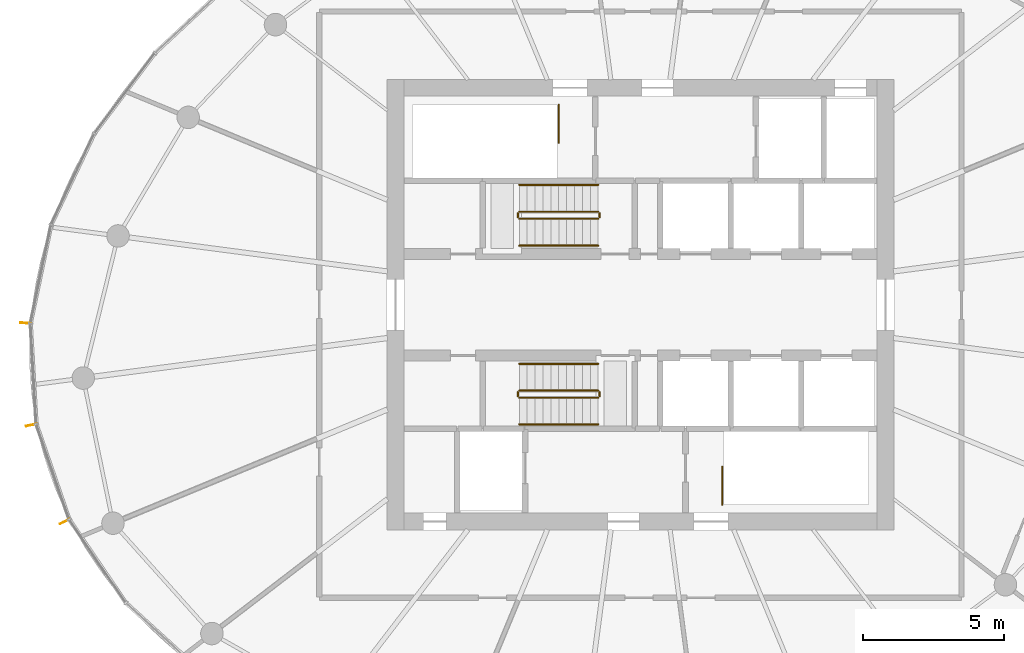
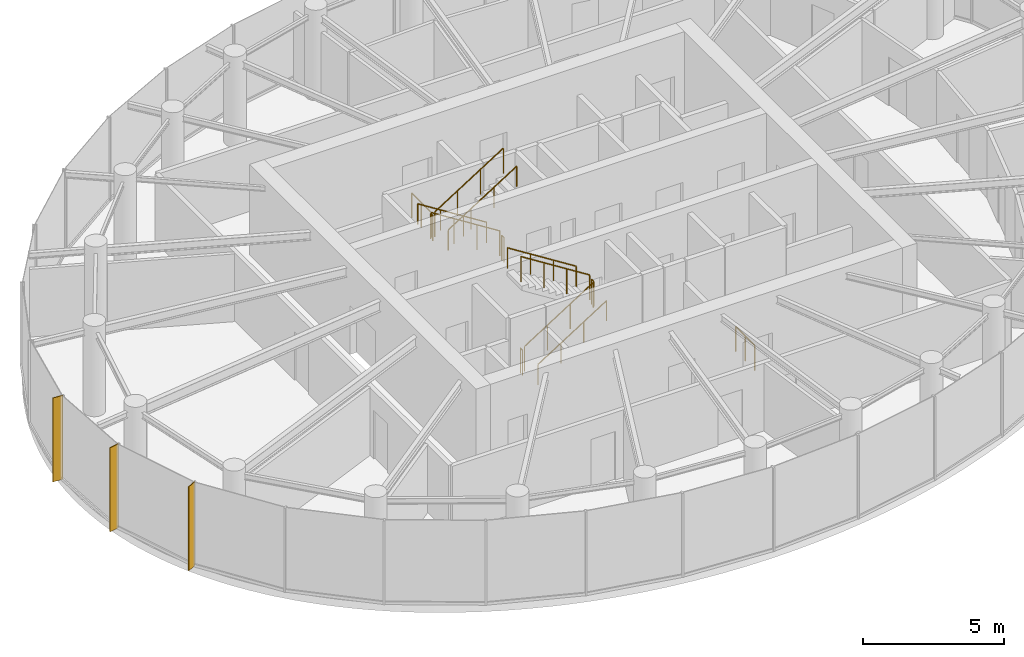
# One storey, part 12 of 13: 14 railings, 3 shading devices.
"""IFC4 building model written with IfcOpenShell, lengths in metres."""

from ifc_helpers import new_model, si_unit, direction, frame, origin, origin_2d, place, context, subcontext, project, spatial, rectangle, circle, extrude, source, transform, mapped, material, material_profile, profile_set, type_object, element, save


model = new_model("IFC4")

# Units and contexts
model_context = context("Model", 3, precision=1e-05, world=origin(), true_north=direction((0.0, 1.0)))
body_context = subcontext(model_context, "Body", "Model", "MODEL_VIEW")
ifc_project = project(units=[si_unit("LENGTHUNIT", "METRE"), si_unit("AREAUNIT", "SQUARE_METRE"), si_unit("VOLUMEUNIT", "CUBIC_METRE"), si_unit("PLANEANGLEUNIT", "RADIAN"), si_unit("MASSUNIT", "GRAM", prefix="KILO")], contexts=[model_context])

# Site, building, storey
site_placement = place(None, origin())
site = spatial("IfcSite", under=ifc_project, at=site_placement, CompositionType="ELEMENT")
building_placement = place(site_placement, origin())
building = spatial("IfcBuilding", under=site, at=building_placement, Name="Spindrift Exchange Tower", CompositionType="ELEMENT")
storey_placement = place(building_placement, frame((0.0, 0.0, 265.699951171875)))
storey = spatial("IfcBuildingStorey", under=building, at=storey_placement, Name="L65", CompositionType="ELEMENT", Elevation=265.699951171875)

# Railings
ifc_material_1 = material(Name="Steel balustrade", Category="steel")
railing_type_1 = type_object("IfcRailingType", Name="RL-STAIR-GUARD", PredefinedType="GUARDRAIL", material=ifc_material_1)
railing_1_placement = place(storey_placement, frame((49.10009765625, 55.10009765625, 0.0)))
element("IfcRailing", 1, at=railing_1_placement, inside=storey, type_object=railing_type_1, Name="L65 ST1 top well guard 1", PredefinedType="GUARDRAIL", context=body_context, shape_type="SweptSolid", body=[
    extrude(circle(Radius=0.02392578125, at=origin_2d()), frame((0.0, 0.0, 1.076171875), z_axis=(0.0, -1.0, 0.0), x_axis=(1.0, 0.0, 0.0)), (0.0, 0.0, 1.0), 1.35009765625),
    extrude(circle(Radius=0.02099609375, at=origin_2d()), origin(), (0.0, 0.0, 1.0), 1.052001953125),
    extrude(circle(Radius=0.02099609375, at=origin_2d()), frame((0.0, -0.675048828125, 0.0)), (0.0, 0.0, 1.0), 1.052001953125),
    extrude(circle(Radius=0.02099609375, at=origin_2d()), frame((0.0, -1.35009765625, 0.0)), (0.0, 0.0, 1.0), 1.052001953125),
])
railing_2_placement = place(storey_placement, frame((54.89990234375, 40.89990234375, 0.0)))
element("IfcRailing", 2, at=railing_2_placement, inside=storey, type_object=railing_type_1, Name="L65 ST2 top well guard 1", PredefinedType="GUARDRAIL", context=body_context, shape_type="SweptSolid", body=[
    extrude(circle(Radius=0.02392578125, at=origin_2d()), frame((0.0, 0.0, 1.076171875), z_axis=(0.0, 1.0, 0.0), x_axis=(-1.0, 0.0, 0.0)), (0.0, 0.0, 1.0), 1.35009765625),
    extrude(circle(Radius=0.02099609375, at=origin_2d()), origin(), (0.0, 0.0, 1.0), 1.052001953125),
    extrude(circle(Radius=0.02099609375, at=origin_2d()), frame((0.0, 0.675048828125, 0.0)), (0.0, 0.0, 1.0), 1.052001953125),
    extrude(circle(Radius=0.02099609375, at=origin_2d()), frame((0.0, 1.35009765625, 0.0)), (0.0, 0.0, 1.0), 1.052001953125),
])
railing_3_placement = place(storey_placement, frame((50.5, 51.300048828125, 0.17724609375)))
element("IfcRailing", 3, at=railing_3_placement, inside=storey, type_object=railing_type_1, Name="L65 ST3 stair guard 1", PredefinedType="GUARDRAIL", context=body_context, shape_type="SweptSolid", body=[
    extrude(circle(Radius=0.02392578125, at=origin_2d()), frame((0.0, 0.0, 1.076171875), z_axis=(-0.844908973607, 0.0, 0.534910110503), x_axis=(0.0, -1.0, 0.0)), (0.0, 0.0, 1.0), 3.31396484375),
    extrude(circle(Radius=0.02099609375, at=origin_2d()), origin(), (0.0, 0.0, 1.0), 1.052001953125),
    extrude(circle(Radius=0.02099609375, at=origin_2d()), frame((-0.933349609375, 0.0, 0.5908203125)), (0.0, 0.0, 1.0), 1.052001953125),
    extrude(circle(Radius=0.02099609375, at=origin_2d()), frame((-1.86669921875, 0.0, 1.181884765625)), (0.0, 0.0, 1.0), 1.052001953125),
    extrude(circle(Radius=0.02099609375, at=origin_2d()), frame((-2.800048828125, 0.0, 1.772705078125)), (0.0, 0.0, 1.0), 1.052001953125),
])
railing_4_placement = place(storey_placement, frame((47.64990234375, 51.25, 1.949951171875)))
element("IfcRailing", 4, at=railing_4_placement, inside=storey, type_object=railing_type_1, Name="L65 ST3 stair guard 2", PredefinedType="GUARDRAIL", context=body_context, shape_type="SweptSolid", body=[
    extrude(circle(Radius=0.02392578125, at=origin_2d()), frame((0.0, 0.0, 1.076171875), z_axis=(0.0, -1.0, 0.0), x_axis=(1.0, 0.0, 0.0)), (0.0, 0.0, 1.0), 0.14990234375),
    extrude(circle(Radius=0.02099609375, at=origin_2d()), origin(), (0.0, 0.0, 1.0), 1.052001953125),
    extrude(circle(Radius=0.02099609375, at=origin_2d()), frame((0.0, -0.14990234375, 0.0)), (0.0, 0.0, 1.0), 1.052001953125),
])
railing_5_placement = place(storey_placement, frame((47.699951171875, 51.050048828125, 2.12744140625)))
element("IfcRailing", 5, at=railing_5_placement, inside=storey, type_object=railing_type_1, Name="L65 ST3 stair guard 3", PredefinedType="GUARDRAIL", context=body_context, shape_type="SweptSolid", body=[
    extrude(circle(Radius=0.02392578125, at=origin_2d()), frame((0.0, 0.0, 1.076171875), z_axis=(0.844908973607, 0.0, 0.534910110503), x_axis=(0.0, 1.0, 0.0)), (0.0, 0.0, 1.0), 3.31396484375),
    extrude(circle(Radius=0.02099609375, at=origin_2d()), origin(), (0.0, 0.0, 1.0), 1.052001953125),
    extrude(circle(Radius=0.02099609375, at=origin_2d()), frame((0.933349609375, 0.0, 0.5908203125)), (0.0, 0.0, 1.0), 1.052001953125),
    extrude(circle(Radius=0.02099609375, at=origin_2d()), frame((1.86669921875, 0.0, 1.181884765625)), (0.0, 0.0, 1.0), 1.052001953125),
    extrude(circle(Radius=0.02099609375, at=origin_2d()), frame((2.800048828125, 0.0, 1.772705078125)), (0.0, 0.0, 1.0), 1.052001953125),
])
railing_6_placement = place(storey_placement, frame((50.550048828125, 51.25, 0.0)))
element("IfcRailing", 6, at=railing_6_placement, inside=storey, type_object=railing_type_1, Name="L65 ST3 stair guard 4", PredefinedType="GUARDRAIL", context=body_context, shape_type="SweptSolid", body=[
    extrude(circle(Radius=0.02392578125, at=origin_2d()), frame((0.0, 0.0, 1.076171875), z_axis=(0.0, -1.0, 0.0), x_axis=(1.0, 0.0, 0.0)), (0.0, 0.0, 1.0), 0.14990234375),
    extrude(circle(Radius=0.02099609375, at=origin_2d()), origin(), (0.0, 0.0, 1.0), 1.052001953125),
    extrude(circle(Radius=0.02099609375, at=origin_2d()), frame((0.0, -0.14990234375, 0.0)), (0.0, 0.0, 1.0), 1.052001953125),
])
railing_7_placement = place(storey_placement, frame((47.699951171875, 44.699951171875, 0.17724609375)))
element("IfcRailing", 7, at=railing_7_placement, inside=storey, type_object=railing_type_1, Name="L65 ST4 stair guard 1", PredefinedType="GUARDRAIL", context=body_context, shape_type="SweptSolid", body=[
    extrude(circle(Radius=0.02392578125, at=origin_2d()), frame((0.0, 0.0, 1.076171875), z_axis=(0.844908973607, 0.0, 0.534910110503), x_axis=(0.0, 1.0, 0.0)), (0.0, 0.0, 1.0), 3.31396484375),
    extrude(circle(Radius=0.02099609375, at=origin_2d()), origin(), (0.0, 0.0, 1.0), 1.052001953125),
    extrude(circle(Radius=0.02099609375, at=origin_2d()), frame((0.933349609375, 0.0, 0.5908203125)), (0.0, 0.0, 1.0), 1.052001953125),
    extrude(circle(Radius=0.02099609375, at=origin_2d()), frame((1.86669921875, 0.0, 1.181884765625)), (0.0, 0.0, 1.0), 1.052001953125),
    extrude(circle(Radius=0.02099609375, at=origin_2d()), frame((2.800048828125, 0.0, 1.772705078125)), (0.0, 0.0, 1.0), 1.052001953125),
])
railing_8_placement = place(storey_placement, frame((50.550048828125, 44.75, 1.949951171875)))
element("IfcRailing", 8, at=railing_8_placement, inside=storey, type_object=railing_type_1, Name="L65 ST4 stair guard 2", PredefinedType="GUARDRAIL", context=body_context, shape_type="SweptSolid", body=[
    extrude(circle(Radius=0.02392578125, at=origin_2d()), frame((0.0, 0.0, 1.076171875), z_axis=(0.0, 1.0, 0.0), x_axis=(-1.0, 0.0, 0.0)), (0.0, 0.0, 1.0), 0.14990234375),
    extrude(circle(Radius=0.02099609375, at=origin_2d()), origin(), (0.0, 0.0, 1.0), 1.052001953125),
    extrude(circle(Radius=0.02099609375, at=origin_2d()), frame((0.0, 0.14990234375, 0.0)), (0.0, 0.0, 1.0), 1.052001953125),
])
railing_9_placement = place(storey_placement, frame((50.5, 44.949951171875, 2.12744140625)))
element("IfcRailing", 9, at=railing_9_placement, inside=storey, type_object=railing_type_1, Name="L65 ST4 stair guard 3", PredefinedType="GUARDRAIL", context=body_context, shape_type="SweptSolid", body=[
    extrude(circle(Radius=0.02392578125, at=origin_2d()), frame((0.0, 0.0, 1.076171875), z_axis=(-0.844908973607, 0.0, 0.534910110503), x_axis=(0.0, -1.0, 0.0)), (0.0, 0.0, 1.0), 3.31396484375),
    extrude(circle(Radius=0.02099609375, at=origin_2d()), origin(), (0.0, 0.0, 1.0), 1.052001953125),
    extrude(circle(Radius=0.02099609375, at=origin_2d()), frame((-0.933349609375, 0.0, 0.5908203125)), (0.0, 0.0, 1.0), 1.052001953125),
    extrude(circle(Radius=0.02099609375, at=origin_2d()), frame((-1.86669921875, 0.0, 1.181884765625)), (0.0, 0.0, 1.0), 1.052001953125),
    extrude(circle(Radius=0.02099609375, at=origin_2d()), frame((-2.800048828125, 0.0, 1.772705078125)), (0.0, 0.0, 1.0), 1.052001953125),
])
railing_10_placement = place(storey_placement, frame((47.64990234375, 44.75, 0.0)))
element("IfcRailing", 10, at=railing_10_placement, inside=storey, type_object=railing_type_1, Name="L65 ST4 stair guard 4", PredefinedType="GUARDRAIL", context=body_context, shape_type="SweptSolid", body=[
    extrude(circle(Radius=0.02392578125, at=origin_2d()), frame((0.0, 0.0, 1.076171875), z_axis=(0.0, 1.0, 0.0), x_axis=(-1.0, 0.0, 0.0)), (0.0, 0.0, 1.0), 0.14990234375),
    extrude(circle(Radius=0.02099609375, at=origin_2d()), origin(), (0.0, 0.0, 1.0), 1.052001953125),
    extrude(circle(Radius=0.02099609375, at=origin_2d()), frame((0.0, 0.14990234375, 0.0)), (0.0, 0.0, 1.0), 1.052001953125),
])
ifc_material_2 = material(Name="Steel tubular handrail", Category="steel")
railing_type_2 = type_object("IfcRailingType", Name="RL-STAIR-HAND", PredefinedType="HANDRAIL", material=ifc_material_2)
railing_11_placement = place(storey_placement, frame((50.5, 52.25, 0.17724609375)))
element("IfcRailing", 11, at=railing_11_placement, inside=storey, type_object=railing_type_2, Name="L65 ST3 stair handrail 1", PredefinedType="HANDRAIL", context=body_context, shape_type="SweptSolid", body=[
    extrude(circle(Radius=0.02392578125, at=origin_2d()), frame((0.0, 0.0, 0.8759765625), z_axis=(-0.844908973607, 0.0, 0.534910110503), x_axis=(0.0, -1.0, 0.0)), (0.0, 0.0, 1.0), 3.31396484375),
    extrude(circle(Radius=0.02099609375, at=origin_2d()), origin(), (0.0, 0.0, 1.0), 0.851806640625),
    extrude(circle(Radius=0.02099609375, at=origin_2d()), frame((-0.933349609375, 0.0, 0.5908203125)), (0.0, 0.0, 1.0), 0.851806640625),
    extrude(circle(Radius=0.02099609375, at=origin_2d()), frame((-1.86669921875, 0.0, 1.181884765625)), (0.0, 0.0, 1.0), 0.851806640625),
    extrude(circle(Radius=0.02099609375, at=origin_2d()), frame((-2.800048828125, 0.0, 1.772705078125)), (0.0, 0.0, 1.0), 0.851806640625),
])
for number, where, name in (
    (12, (47.699951171875, 50.10009765625, 2.12744140625), "L65 ST3 stair handrail 2"),
    (13, (47.699951171875, 43.75, 0.17724609375), "L65 ST4 stair handrail 1"),
):
    element("IfcRailing", number, at=place(storey_placement, frame(where)), inside=storey, type_object=railing_type_2, Name=name, PredefinedType="HANDRAIL", context=body_context, shape_type="SweptSolid", body=[
        extrude(circle(Radius=0.02392578125, at=origin_2d()), frame((0.0, 0.0, 0.8759765625), z_axis=(0.844908973607, 0.0, 0.534910110503), x_axis=(0.0, 1.0, 0.0)), (0.0, 0.0, 1.0), 3.31396484375),
        extrude(circle(Radius=0.02099609375, at=origin_2d()), origin(), (0.0, 0.0, 1.0), 0.851806640625),
        extrude(circle(Radius=0.02099609375, at=origin_2d()), frame((0.933349609375, 0.0, 0.5908203125)), (0.0, 0.0, 1.0), 0.851806640625),
        extrude(circle(Radius=0.02099609375, at=origin_2d()), frame((1.86669921875, 0.0, 1.181884765625)), (0.0, 0.0, 1.0), 0.851806640625),
        extrude(circle(Radius=0.02099609375, at=origin_2d()), frame((2.800048828125, 0.0, 1.772705078125)), (0.0, 0.0, 1.0), 0.851806640625),
    ])
railing_12_placement = place(storey_placement, frame((50.5, 45.89990234375, 2.12744140625)))
element("IfcRailing", 14, at=railing_12_placement, inside=storey, type_object=railing_type_2, Name="L65 ST4 stair handrail 2", PredefinedType="HANDRAIL", context=body_context, shape_type="SweptSolid", body=[
    extrude(circle(Radius=0.02392578125, at=origin_2d()), frame((0.0, 0.0, 0.8759765625), z_axis=(-0.844908973607, 0.0, 0.534910110503), x_axis=(0.0, -1.0, 0.0)), (0.0, 0.0, 1.0), 3.31396484375),
    extrude(circle(Radius=0.02099609375, at=origin_2d()), origin(), (0.0, 0.0, 1.0), 0.851806640625),
    extrude(circle(Radius=0.02099609375, at=origin_2d()), frame((-0.933349609375, 0.0, 0.5908203125)), (0.0, 0.0, 1.0), 0.851806640625),
    extrude(circle(Radius=0.02099609375, at=origin_2d()), frame((-1.86669921875, 0.0, 1.181884765625)), (0.0, 0.0, 1.0), 0.851806640625),
    extrude(circle(Radius=0.02099609375, at=origin_2d()), frame((-2.800048828125, 0.0, 1.772705078125)), (0.0, 0.0, 1.0), 0.851806640625),
])

# Shading devices
ifc_material_3 = material(Name="Bronze anodised aluminium", Category="aluminium")
ifc_material_profile = material_profile(ifc_material_3, rectangle(XDim=0.030029296875, YDim=0.39990234375, at=origin_2d()), Name="WIND FIN 30X400")
ifc_profile_set = profile_set([ifc_material_profile], Name="Bronze anodised aluminium")
shading_device_type = type_object("IfcShadingDeviceType", Name="WIND FIN 30X400", PredefinedType="USERDEFINED", material=ifc_profile_set)
shared_shape = source(origin(), body_context, "Body", "SweptSolid", [
    extrude(rectangle(XDim=0.030029296875, YDim=0.39990234375, at=origin_2d()), origin(), (0.0, 0.0, 1.0), 3.6201171875),
])
for number, where, z_axis, x_axis, name in (
    (15, (30.180419921875, 47.34765625, 0.0), (0.0, 0.0, 1.0), (-0.07441656045, -0.997227243677, 0.0), "L65 wind fin 1"),
    (16, (30.38818359375, 43.73046875, 0.0), (0.0, 0.0, 1.0), (0.193820008193, -0.981037106548, 0.0), "L65 wind fin 2"),
    (17, (31.571533203125, 40.3056640625, 0.0), (0.0, 0.0, 1.0), (0.448055575988, -0.894005705142, 0.0), "L65 wind fin 3"),
):
    element("IfcShadingDevice", number, at=place(storey_placement, frame(where, z_axis=z_axis, x_axis=x_axis)), inside=storey, type_object=shading_device_type, Name=name, ObjectType="FIN", PredefinedType="USERDEFINED", context=body_context, shape_type="MappedRepresentation", body=[
        mapped(shared_shape, transform((0.0, 0.0, 0.0), scale=1.0)),
    ])

save(model, "model.ifc")
